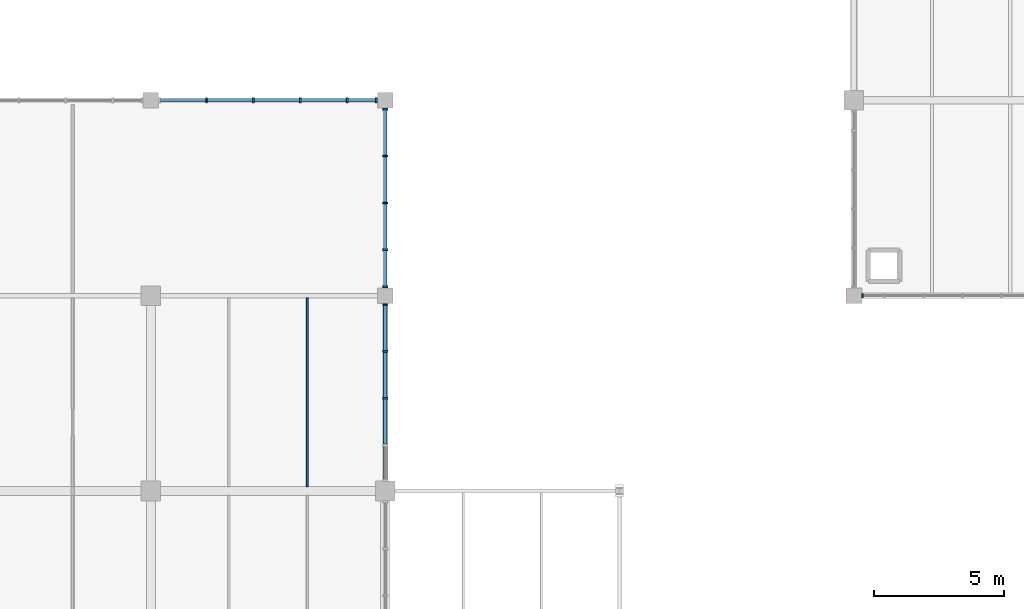
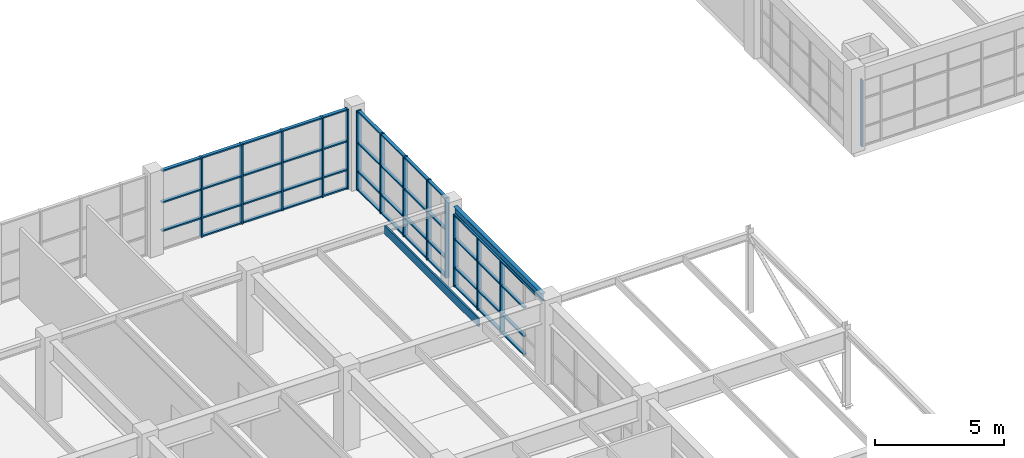
# One storey, part 17 of 76: 61 members, 2 beams, 4 elements without a shape of their own.
"""IFC4 building model written with IfcOpenShell, lengths in metres."""

from ifc_helpers import new_model, si_unit, direction, frame, origin, origin_2d, place, context, subcontext, project, spatial, rectangle, i_section, extrude, material, layer, layer_set, material_profile, profile_set, type_object, element, aggregate, save


model = new_model("IFC4")

# Units and contexts
model_context = context("Model", 3, precision=1e-05, world=origin(), true_north=direction((0.0, 1.0)))
body_context = subcontext(model_context, "Body", "Model", "MODEL_VIEW")
ifc_project = project(units=[si_unit("LENGTHUNIT", "METRE"), si_unit("AREAUNIT", "SQUARE_METRE"), si_unit("VOLUMEUNIT", "CUBIC_METRE"), si_unit("PLANEANGLEUNIT", "RADIAN"), si_unit("MASSUNIT", "GRAM", prefix="KILO")], contexts=[model_context])

# Site, building, storey
site_placement = place(None, origin())
site = spatial("IfcSite", under=ifc_project, at=site_placement, CompositionType="ELEMENT")
building_placement = place(site_placement, origin())
building = spatial("IfcBuilding", under=site, at=building_placement, Name="Marnridge Secondary College", CompositionType="ELEMENT")
storey_placement = place(building_placement, frame((0.0, 0.0, 4.5)))
storey = spatial("IfcBuildingStorey", under=building, at=storey_placement, Name="L01", CompositionType="ELEMENT", Elevation=4.5)

# Beams
ifc_material_1 = material(Name="Engineered timber LVL E13.2", Category="wood")
ifc_material_profile_1 = material_profile(ifc_material_1, rectangle(XDim=0.074951171875, YDim=0.39990234375, at=origin_2d()), Name="LVL 75x400")
ifc_profile_set_1 = profile_set([ifc_material_profile_1], Name="Engineered timber LVL E13.2")
beam_type_1 = type_object("IfcBeamType", Name="BM-LVL400-INT", PredefinedType="JOIST", material=ifc_profile_set_1)
beam_1_placement = place(storey_placement, frame((33.0, 30.1689453125, 3.570068359375), z_axis=(0.0, 1.0, 0.0), x_axis=(-1.0, 0.0, 0.0)))
element("IfcBeam", 1, at=beam_1_placement, inside=storey, type_object=beam_type_1, Name="Beam BJ-L01-0755", PredefinedType="JOIST", context=body_context, shape_type="SweptSolid", body=[
    extrude(rectangle(XDim=0.074951171875, YDim=0.39990234375, at=origin_2d()), origin(), (0.0, 0.0, 1.0), 7.25146484375),
])
ifc_material_2 = material(Name="Structural steel Grade 350 (AS/NZS 3679.1/.2, fy = 340-360 MPa)", Category="steel")
ifc_material_profile_2 = material_profile(ifc_material_2, i_section(OverallWidth=0.1708984375, OverallDepth=0.35205078125, WebThickness=0.0068359375, FlangeThickness=0.009765625, FilletRadius=0.011474609375, at=origin_2d()), Name="360UB44.7")
ifc_profile_set_2 = profile_set([ifc_material_profile_2], Name="Structural steel Grade 350 (AS/NZS 3679.1/.2, fy = 340-360 MPa)")
beam_type_2 = type_object("IfcBeamType", Name="BM-UB360-EXT", PredefinedType="SPANDREL", material=ifc_profile_set_2)
beam_2_placement = place(storey_placement, frame((36.0, 30.368896484375, 3.593994140625), z_axis=(0.0, 1.0, 0.0), x_axis=(-1.0, 0.0, 0.0)))
element("IfcBeam", 2, at=beam_2_placement, inside=storey, type_object=beam_type_2, Name="Beam BS-L01-0712", PredefinedType="SPANDREL", context=body_context, shape_type="SweptSolid", body=[
    extrude(i_section(OverallWidth=0.1708984375, OverallDepth=0.35205078125, WebThickness=0.0068359375, FlangeThickness=0.009765625, FilletRadius=0.011474609375, at=origin_2d()), origin(), (0.0, 0.0, 1.0), 6.837158203125),
])

# Curtain wall, member
ifc_material_3 = material(Name="Thermally broken aluminium and low-E glazing", Category="aluminium")
ifc_layer_1 = layer(ifc_material_3, 0.159912109375)
ifc_layer_set_1 = layer_set([ifc_layer_1], Name="CW-MOD-1500")
curtain_wall_type_1 = type_object("IfcCurtainWallType", Name="CW-MOD-1500", PredefinedType="NOTDEFINED", material=ifc_layer_set_1)
curtain_wall_1_placement = place(storey_placement, origin())
curtain_wall_1 = element("IfcCurtainWall", 3, at=curtain_wall_1_placement, inside=storey, type_object=curtain_wall_type_1, Name="Unitised curtain wall CW-L01-038", PredefinedType="NOTDEFINED")
ifc_material_4 = material(Name="Anodised aluminium 6063-T6", Category="aluminium")
ifc_material_profile_3 = material_profile(ifc_material_4, rectangle(XDim=0.06005859375, YDim=0.159912109375, at=origin_2d()), Name="ALU 60x160")
ifc_profile_set_3 = profile_set([ifc_material_profile_3], Name="Anodised aluminium 6063-T6")
member_type_1 = type_object("IfcMemberType", Name="CWM-ALU160", PredefinedType="MULLION", material=ifc_profile_set_3)
member_1_placement = place(storey_placement, frame((54.333984375, 37.5, 0.0), z_axis=(0.0, 0.0, 1.0), x_axis=(-1.0, 0.0, 0.0)))
member_1 = element("IfcMember", 4, at=member_1_placement, type_object=member_type_1, Name="CW-L01-038 mullion 7", PredefinedType="MULLION", context=body_context, shape_type="SweptSolid", body=[
    extrude(rectangle(XDim=0.06005859375, YDim=0.159912109375, at=origin_2d()), origin(), (0.0, 0.0, 1.0), 3.14697265625),
])
aggregate(curtain_wall_1, [member_1])

# Curtain wall, members
ifc_material_5 = material(Name="Bronze-anodised aluminium and solar-control glazing", Category="aluminium")
ifc_layer_2 = layer(ifc_material_5, 0.199951171875)
ifc_layer_set_2 = layer_set([ifc_layer_2], Name="CW-MOD-1800")
curtain_wall_type_2 = type_object("IfcCurtainWallType", Name="CW-MOD-1800", PredefinedType="NOTDEFINED", material=ifc_layer_set_2)
curtain_wall_2_placement = place(storey_placement, origin())
curtain_wall_2 = element("IfcCurtainWall", 5, at=curtain_wall_2_placement, inside=storey, type_object=curtain_wall_type_2, Name="Unitised curtain wall CW-L01-062", PredefinedType="NOTDEFINED")
ifc_material_6 = material(Name="Bronze-anodised aluminium 6063-T6", Category="aluminium")
ifc_material_profile_4 = material_profile(ifc_material_6, rectangle(XDim=0.070068359375, YDim=0.199951171875, at=origin_2d()), Name="ALU 70x200")
ifc_profile_set_4 = profile_set([ifc_material_profile_4], Name="Bronze-anodised aluminium 6063-T6")
member_type_2 = type_object("IfcMemberType", Name="CWM-ALU200", PredefinedType="MULLION", material=ifc_profile_set_4)
member_2_placement = place(storey_placement, frame((29.138916015625, 45.0, 0.0), z_axis=(0.0, 0.0, 1.0), x_axis=(1.0, 0.0, 0.0)))
member_2 = element("IfcMember", 6, at=member_2_placement, type_object=member_type_2, Name="CW-L01-062 mullion 2", PredefinedType="MULLION", context=body_context, shape_type="SweptSolid", body=[
    extrude(rectangle(XDim=0.070068359375, YDim=0.199951171875, at=origin_2d()), origin(), (0.0, 0.0, 1.0), 3.77001953125),
])
member_3_placement = place(storey_placement, frame((30.93896484375, 45.0, 0.0), z_axis=(0.0, 0.0, 1.0), x_axis=(1.0, 0.0, 0.0)))
member_3 = element("IfcMember", 7, at=member_3_placement, type_object=member_type_2, Name="CW-L01-062 mullion 3", PredefinedType="MULLION", context=body_context, shape_type="SweptSolid", body=[
    extrude(rectangle(XDim=0.070068359375, YDim=0.199951171875, at=origin_2d()), origin(), (0.0, 0.0, 1.0), 3.77001953125),
])
member_4_placement = place(storey_placement, frame((32.739013671875, 45.0, 0.0), z_axis=(0.0, 0.0, 1.0), x_axis=(1.0, 0.0, 0.0)))
member_4 = element("IfcMember", 8, at=member_4_placement, type_object=member_type_2, Name="CW-L01-062 mullion 4", PredefinedType="MULLION", context=body_context, shape_type="SweptSolid", body=[
    extrude(rectangle(XDim=0.070068359375, YDim=0.199951171875, at=origin_2d()), origin(), (0.0, 0.0, 1.0), 3.77001953125),
])
member_5_placement = place(storey_placement, frame((34.5390625, 45.0, 0.0), z_axis=(0.0, 0.0, 1.0), x_axis=(1.0, 0.0, 0.0)))
member_5 = element("IfcMember", 9, at=member_5_placement, type_object=member_type_2, Name="CW-L01-062 mullion 5", PredefinedType="MULLION", context=body_context, shape_type="SweptSolid", body=[
    extrude(rectangle(XDim=0.070068359375, YDim=0.199951171875, at=origin_2d()), origin(), (0.0, 0.0, 1.0), 3.77001953125),
])
member_6_placement = place(storey_placement, frame((35.660888671875, 45.0, 0.0), z_axis=(0.0, 0.0, 1.0), x_axis=(1.0, 0.0, 0.0)))
member_6 = element("IfcMember", 10, at=member_6_placement, type_object=member_type_2, Name="CW-L01-062 mullion 6", PredefinedType="MULLION", context=body_context, shape_type="SweptSolid", body=[
    extrude(rectangle(XDim=0.070068359375, YDim=0.199951171875, at=origin_2d()), origin(), (0.0, 0.0, 1.0), 3.77001953125),
])

curtain_wall_3_placement = place(storey_placement, origin())
curtain_wall_3 = element("IfcCurtainWall", 11, at=curtain_wall_3_placement, inside=storey, type_object=curtain_wall_type_2, Name="Unitised curtain wall CW-L01-063", PredefinedType="NOTDEFINED")
member_7_placement = place(storey_placement, frame((36.0, 44.660888671875, 0.0), z_axis=(0.0, 0.0, 1.0), x_axis=(0.0, -1.0, 0.0)))
member_7 = element("IfcMember", 12, at=member_7_placement, type_object=member_type_2, Name="CW-L01-063 mullion 1", PredefinedType="MULLION", context=body_context, shape_type="SweptSolid", body=[
    extrude(rectangle(XDim=0.070068359375, YDim=0.199951171875, at=origin_2d()), origin(), (0.0, 0.0, 1.0), 3.77001953125),
])
member_8_placement = place(storey_placement, frame((36.0, 42.861083984375, 0.0), z_axis=(0.0, 0.0, 1.0), x_axis=(0.0, -1.0, 0.0)))
member_8 = element("IfcMember", 13, at=member_8_placement, type_object=member_type_2, Name="CW-L01-063 mullion 2", PredefinedType="MULLION", context=body_context, shape_type="SweptSolid", body=[
    extrude(rectangle(XDim=0.070068359375, YDim=0.199951171875, at=origin_2d()), origin(), (0.0, 0.0, 1.0), 3.77001953125),
])
member_9_placement = place(storey_placement, frame((36.0, 41.06103515625, 0.0), z_axis=(0.0, 0.0, 1.0), x_axis=(0.0, -1.0, 0.0)))
member_9 = element("IfcMember", 14, at=member_9_placement, type_object=member_type_2, Name="CW-L01-063 mullion 3", PredefinedType="MULLION", context=body_context, shape_type="SweptSolid", body=[
    extrude(rectangle(XDim=0.070068359375, YDim=0.199951171875, at=origin_2d()), origin(), (0.0, 0.0, 1.0), 3.77001953125),
])
member_10_placement = place(storey_placement, frame((36.0, 39.260986328125, 0.0), z_axis=(0.0, 0.0, 1.0), x_axis=(0.0, -1.0, 0.0)))
member_10 = element("IfcMember", 15, at=member_10_placement, type_object=member_type_2, Name="CW-L01-063 mullion 4", PredefinedType="MULLION", context=body_context, shape_type="SweptSolid", body=[
    extrude(rectangle(XDim=0.070068359375, YDim=0.199951171875, at=origin_2d()), origin(), (0.0, 0.0, 1.0), 3.77001953125),
])
member_11_placement = place(storey_placement, frame((36.0, 37.839111328125, 0.0), z_axis=(0.0, 0.0, 1.0), x_axis=(0.0, -1.0, 0.0)))
member_11 = element("IfcMember", 16, at=member_11_placement, type_object=member_type_2, Name="CW-L01-063 mullion 5", PredefinedType="MULLION", context=body_context, shape_type="SweptSolid", body=[
    extrude(rectangle(XDim=0.070068359375, YDim=0.199951171875, at=origin_2d()), origin(), (0.0, 0.0, 1.0), 3.77001953125),
])

curtain_wall_4_placement = place(storey_placement, origin())
curtain_wall_4 = element("IfcCurtainWall", 17, at=curtain_wall_4_placement, inside=storey, type_object=curtain_wall_type_2, Name="Unitised curtain wall CW-L01-064", PredefinedType="NOTDEFINED")
member_12_placement = place(storey_placement, frame((36.0, 37.160888671875, 0.0), z_axis=(0.0, 0.0, 1.0), x_axis=(0.0, -1.0, 0.0)))
member_12 = element("IfcMember", 18, at=member_12_placement, type_object=member_type_2, Name="CW-L01-064 mullion 1", PredefinedType="MULLION", context=body_context, shape_type="SweptSolid", body=[
    extrude(rectangle(XDim=0.070068359375, YDim=0.199951171875, at=origin_2d()), origin(), (0.0, 0.0, 1.0), 3.409912109375),
])
member_13_placement = place(storey_placement, frame((36.0, 35.361083984375, 0.0), z_axis=(0.0, 0.0, 1.0), x_axis=(0.0, -1.0, 0.0)))
member_13 = element("IfcMember", 19, at=member_13_placement, type_object=member_type_2, Name="CW-L01-064 mullion 2", PredefinedType="MULLION", context=body_context, shape_type="SweptSolid", body=[
    extrude(rectangle(XDim=0.070068359375, YDim=0.199951171875, at=origin_2d()), origin(), (0.0, 0.0, 1.0), 3.409912109375),
])
member_14_placement = place(storey_placement, frame((36.0, 33.56103515625, 0.0), z_axis=(0.0, 0.0, 1.0), x_axis=(0.0, -1.0, 0.0)))
member_14 = element("IfcMember", 20, at=member_14_placement, type_object=member_type_2, Name="CW-L01-064 mullion 3", PredefinedType="MULLION", context=body_context, shape_type="SweptSolid", body=[
    extrude(rectangle(XDim=0.070068359375, YDim=0.199951171875, at=origin_2d()), origin(), (0.0, 0.0, 1.0), 3.409912109375),
])

# Member
ifc_material_7 = material(Name="Anodised aluminium 6063-T6", Category="aluminium")
ifc_material_profile_5 = material_profile(ifc_material_7, rectangle(XDim=0.06494140625, YDim=0.139892578125, at=origin_2d()), Name="ALU 65x140")
ifc_profile_set_5 = profile_set([ifc_material_profile_5], Name="Anodised aluminium 6063-T6")
member_type_3 = type_object("IfcMemberType", Name="CWT-ALU140", PredefinedType="USERDEFINED", material=ifc_profile_set_5)
member_15_placement = place(storey_placement, frame((27.3740234375, 45.0, 0.89990234375), z_axis=(1.0, 0.0, 0.0), x_axis=(0.0, 0.0, 1.0)))
member_15 = element("IfcMember", 21, at=member_15_placement, type_object=member_type_3, Name="CW-L01-062 transom 1.2", ObjectType="TRANSOM", PredefinedType="USERDEFINED", context=body_context, shape_type="SweptSolid", body=[
    extrude(rectangle(XDim=0.06494140625, YDim=0.139892578125, at=origin_2d()), origin(), (0.0, 0.0, 1.0), 1.72998046875),
])

member_16_placement = place(storey_placement, frame((27.3740234375, 45.0, 2.25), z_axis=(1.0, 0.0, 0.0), x_axis=(0.0, 0.0, 1.0)))
member_16 = element("IfcMember", 22, at=member_16_placement, type_object=member_type_3, Name="CW-L01-062 transom 1.3", ObjectType="TRANSOM", PredefinedType="USERDEFINED", context=body_context, shape_type="SweptSolid", body=[
    extrude(rectangle(XDim=0.06494140625, YDim=0.139892578125, at=origin_2d()), origin(), (0.0, 0.0, 1.0), 1.72998046875),
])

member_17_placement = place(storey_placement, frame((27.3740234375, 45.0, 3.737548828125), z_axis=(1.0, 0.0, 0.0), x_axis=(0.0, 0.0, 1.0)))
member_17 = element("IfcMember", 23, at=member_17_placement, type_object=member_type_3, Name="CW-L01-062 transom 1.4", ObjectType="TRANSOM", PredefinedType="USERDEFINED", context=body_context, shape_type="SweptSolid", body=[
    extrude(rectangle(XDim=0.06494140625, YDim=0.139892578125, at=origin_2d()), origin(), (0.0, 0.0, 1.0), 1.72998046875),
])

member_18_placement = place(storey_placement, frame((29.174072265625, 45.0, 0.032470703125), z_axis=(1.0, 0.0, 0.0), x_axis=(0.0, 0.0, 1.0)))
member_18 = element("IfcMember", 24, at=member_18_placement, type_object=member_type_3, Name="CW-L01-062 transom 2.1", ObjectType="TRANSOM", PredefinedType="USERDEFINED", context=body_context, shape_type="SweptSolid", body=[
    extrude(rectangle(XDim=0.06494140625, YDim=0.139892578125, at=origin_2d()), origin(), (0.0, 0.0, 1.0), 1.72998046875),
])

member_19_placement = place(storey_placement, frame((29.174072265625, 45.0, 0.89990234375), z_axis=(1.0, 0.0, 0.0), x_axis=(0.0, 0.0, 1.0)))
member_19 = element("IfcMember", 25, at=member_19_placement, type_object=member_type_3, Name="CW-L01-062 transom 2.2", ObjectType="TRANSOM", PredefinedType="USERDEFINED", context=body_context, shape_type="SweptSolid", body=[
    extrude(rectangle(XDim=0.06494140625, YDim=0.139892578125, at=origin_2d()), origin(), (0.0, 0.0, 1.0), 1.72998046875),
])

member_20_placement = place(storey_placement, frame((29.174072265625, 45.0, 2.25), z_axis=(1.0, 0.0, 0.0), x_axis=(0.0, 0.0, 1.0)))
member_20 = element("IfcMember", 26, at=member_20_placement, type_object=member_type_3, Name="CW-L01-062 transom 2.3", ObjectType="TRANSOM", PredefinedType="USERDEFINED", context=body_context, shape_type="SweptSolid", body=[
    extrude(rectangle(XDim=0.06494140625, YDim=0.139892578125, at=origin_2d()), origin(), (0.0, 0.0, 1.0), 1.72998046875),
])

member_21_placement = place(storey_placement, frame((29.174072265625, 45.0, 3.737548828125), z_axis=(1.0, 0.0, 0.0), x_axis=(0.0, 0.0, 1.0)))
member_21 = element("IfcMember", 27, at=member_21_placement, type_object=member_type_3, Name="CW-L01-062 transom 2.4", ObjectType="TRANSOM", PredefinedType="USERDEFINED", context=body_context, shape_type="SweptSolid", body=[
    extrude(rectangle(XDim=0.06494140625, YDim=0.139892578125, at=origin_2d()), origin(), (0.0, 0.0, 1.0), 1.72998046875),
])

member_22_placement = place(storey_placement, frame((30.97412109375, 45.0, 0.032470703125), z_axis=(1.0, 0.0, 0.0), x_axis=(0.0, 0.0, 1.0)))
member_22 = element("IfcMember", 28, at=member_22_placement, type_object=member_type_3, Name="CW-L01-062 transom 3.1", ObjectType="TRANSOM", PredefinedType="USERDEFINED", context=body_context, shape_type="SweptSolid", body=[
    extrude(rectangle(XDim=0.06494140625, YDim=0.139892578125, at=origin_2d()), origin(), (0.0, 0.0, 1.0), 1.72998046875),
])

member_23_placement = place(storey_placement, frame((30.97412109375, 45.0, 0.89990234375), z_axis=(1.0, 0.0, 0.0), x_axis=(0.0, 0.0, 1.0)))
member_23 = element("IfcMember", 29, at=member_23_placement, type_object=member_type_3, Name="CW-L01-062 transom 3.2", ObjectType="TRANSOM", PredefinedType="USERDEFINED", context=body_context, shape_type="SweptSolid", body=[
    extrude(rectangle(XDim=0.06494140625, YDim=0.139892578125, at=origin_2d()), origin(), (0.0, 0.0, 1.0), 1.72998046875),
])

member_24_placement = place(storey_placement, frame((30.97412109375, 45.0, 2.25), z_axis=(1.0, 0.0, 0.0), x_axis=(0.0, 0.0, 1.0)))
member_24 = element("IfcMember", 30, at=member_24_placement, type_object=member_type_3, Name="CW-L01-062 transom 3.3", ObjectType="TRANSOM", PredefinedType="USERDEFINED", context=body_context, shape_type="SweptSolid", body=[
    extrude(rectangle(XDim=0.06494140625, YDim=0.139892578125, at=origin_2d()), origin(), (0.0, 0.0, 1.0), 1.72998046875),
])

member_25_placement = place(storey_placement, frame((30.97412109375, 45.0, 3.737548828125), z_axis=(1.0, 0.0, 0.0), x_axis=(0.0, 0.0, 1.0)))
member_25 = element("IfcMember", 31, at=member_25_placement, type_object=member_type_3, Name="CW-L01-062 transom 3.4", ObjectType="TRANSOM", PredefinedType="USERDEFINED", context=body_context, shape_type="SweptSolid", body=[
    extrude(rectangle(XDim=0.06494140625, YDim=0.139892578125, at=origin_2d()), origin(), (0.0, 0.0, 1.0), 1.72998046875),
])

member_26_placement = place(storey_placement, frame((32.77392578125, 45.0, 0.032470703125), z_axis=(1.0, 0.0, 0.0), x_axis=(0.0, 0.0, 1.0)))
member_26 = element("IfcMember", 32, at=member_26_placement, type_object=member_type_3, Name="CW-L01-062 transom 4.1", ObjectType="TRANSOM", PredefinedType="USERDEFINED", context=body_context, shape_type="SweptSolid", body=[
    extrude(rectangle(XDim=0.06494140625, YDim=0.139892578125, at=origin_2d()), origin(), (0.0, 0.0, 1.0), 1.72998046875),
])

member_27_placement = place(storey_placement, frame((32.77392578125, 45.0, 0.89990234375), z_axis=(1.0, 0.0, 0.0), x_axis=(0.0, 0.0, 1.0)))
member_27 = element("IfcMember", 33, at=member_27_placement, type_object=member_type_3, Name="CW-L01-062 transom 4.2", ObjectType="TRANSOM", PredefinedType="USERDEFINED", context=body_context, shape_type="SweptSolid", body=[
    extrude(rectangle(XDim=0.06494140625, YDim=0.139892578125, at=origin_2d()), origin(), (0.0, 0.0, 1.0), 1.72998046875),
])

member_28_placement = place(storey_placement, frame((32.77392578125, 45.0, 2.25), z_axis=(1.0, 0.0, 0.0), x_axis=(0.0, 0.0, 1.0)))
member_28 = element("IfcMember", 34, at=member_28_placement, type_object=member_type_3, Name="CW-L01-062 transom 4.3", ObjectType="TRANSOM", PredefinedType="USERDEFINED", context=body_context, shape_type="SweptSolid", body=[
    extrude(rectangle(XDim=0.06494140625, YDim=0.139892578125, at=origin_2d()), origin(), (0.0, 0.0, 1.0), 1.72998046875),
])

member_29_placement = place(storey_placement, frame((32.77392578125, 45.0, 3.737548828125), z_axis=(1.0, 0.0, 0.0), x_axis=(0.0, 0.0, 1.0)))
member_29 = element("IfcMember", 35, at=member_29_placement, type_object=member_type_3, Name="CW-L01-062 transom 4.4", ObjectType="TRANSOM", PredefinedType="USERDEFINED", context=body_context, shape_type="SweptSolid", body=[
    extrude(rectangle(XDim=0.06494140625, YDim=0.139892578125, at=origin_2d()), origin(), (0.0, 0.0, 1.0), 1.72998046875),
])

member_30_placement = place(storey_placement, frame((34.573974609375, 45.0, 0.032470703125), z_axis=(1.0, 0.0, 0.0), x_axis=(0.0, 0.0, 1.0)))
member_30 = element("IfcMember", 36, at=member_30_placement, type_object=member_type_3, Name="CW-L01-062 transom 5.1", ObjectType="TRANSOM", PredefinedType="USERDEFINED", context=body_context, shape_type="SweptSolid", body=[
    extrude(rectangle(XDim=0.06494140625, YDim=0.139892578125, at=origin_2d()), origin(), (0.0, 0.0, 1.0), 1.052001953125),
])

member_31_placement = place(storey_placement, frame((34.573974609375, 45.0, 0.89990234375), z_axis=(1.0, 0.0, 0.0), x_axis=(0.0, 0.0, 1.0)))
member_31 = element("IfcMember", 37, at=member_31_placement, type_object=member_type_3, Name="CW-L01-062 transom 5.2", ObjectType="TRANSOM", PredefinedType="USERDEFINED", context=body_context, shape_type="SweptSolid", body=[
    extrude(rectangle(XDim=0.06494140625, YDim=0.139892578125, at=origin_2d()), origin(), (0.0, 0.0, 1.0), 1.052001953125),
])

member_32_placement = place(storey_placement, frame((34.573974609375, 45.0, 2.25), z_axis=(1.0, 0.0, 0.0), x_axis=(0.0, 0.0, 1.0)))
member_32 = element("IfcMember", 38, at=member_32_placement, type_object=member_type_3, Name="CW-L01-062 transom 5.3", ObjectType="TRANSOM", PredefinedType="USERDEFINED", context=body_context, shape_type="SweptSolid", body=[
    extrude(rectangle(XDim=0.06494140625, YDim=0.139892578125, at=origin_2d()), origin(), (0.0, 0.0, 1.0), 1.052001953125),
])

member_33_placement = place(storey_placement, frame((34.573974609375, 45.0, 3.737548828125), z_axis=(1.0, 0.0, 0.0), x_axis=(0.0, 0.0, 1.0)))
member_33 = element("IfcMember", 39, at=member_33_placement, type_object=member_type_3, Name="CW-L01-062 transom 5.4", ObjectType="TRANSOM", PredefinedType="USERDEFINED", context=body_context, shape_type="SweptSolid", body=[
    extrude(rectangle(XDim=0.06494140625, YDim=0.139892578125, at=origin_2d()), origin(), (0.0, 0.0, 1.0), 1.052001953125),
])

aggregate(curtain_wall_2, [member_2, member_3, member_4, member_5, member_6, member_15, member_16, member_17, member_18, member_19, member_20, member_21, member_22, member_23, member_24, member_25, member_26, member_27, member_28, member_29, member_30, member_31, member_32, member_33])

member_34_placement = place(storey_placement, frame((36.0, 44.6259765625, 0.032470703125), z_axis=(0.0, -1.0, 0.0), x_axis=(0.0, 0.0, 1.0)))
member_34 = element("IfcMember", 40, at=member_34_placement, type_object=member_type_3, Name="CW-L01-063 transom 1.1", ObjectType="TRANSOM", PredefinedType="USERDEFINED", context=body_context, shape_type="SweptSolid", body=[
    extrude(rectangle(XDim=0.06494140625, YDim=0.139892578125, at=origin_2d()), origin(), (0.0, 0.0, 1.0), 1.72998046875),
])

member_35_placement = place(storey_placement, frame((36.0, 44.6259765625, 0.89990234375), z_axis=(0.0, -1.0, 0.0), x_axis=(0.0, 0.0, 1.0)))
member_35 = element("IfcMember", 41, at=member_35_placement, type_object=member_type_3, Name="CW-L01-063 transom 1.2", ObjectType="TRANSOM", PredefinedType="USERDEFINED", context=body_context, shape_type="SweptSolid", body=[
    extrude(rectangle(XDim=0.06494140625, YDim=0.139892578125, at=origin_2d()), origin(), (0.0, 0.0, 1.0), 1.72998046875),
])

member_36_placement = place(storey_placement, frame((36.0, 44.6259765625, 2.25), z_axis=(0.0, -1.0, 0.0), x_axis=(0.0, 0.0, 1.0)))
member_36 = element("IfcMember", 42, at=member_36_placement, type_object=member_type_3, Name="CW-L01-063 transom 1.3", ObjectType="TRANSOM", PredefinedType="USERDEFINED", context=body_context, shape_type="SweptSolid", body=[
    extrude(rectangle(XDim=0.06494140625, YDim=0.139892578125, at=origin_2d()), origin(), (0.0, 0.0, 1.0), 1.72998046875),
])

member_37_placement = place(storey_placement, frame((36.0, 44.6259765625, 3.737548828125), z_axis=(0.0, -1.0, 0.0), x_axis=(0.0, 0.0, 1.0)))
member_37 = element("IfcMember", 43, at=member_37_placement, type_object=member_type_3, Name="CW-L01-063 transom 1.4", ObjectType="TRANSOM", PredefinedType="USERDEFINED", context=body_context, shape_type="SweptSolid", body=[
    extrude(rectangle(XDim=0.06494140625, YDim=0.139892578125, at=origin_2d()), origin(), (0.0, 0.0, 1.0), 1.72998046875),
])

member_38_placement = place(storey_placement, frame((36.0, 42.825927734375, 0.032470703125), z_axis=(0.0, -1.0, 0.0), x_axis=(0.0, 0.0, 1.0)))
member_38 = element("IfcMember", 44, at=member_38_placement, type_object=member_type_3, Name="CW-L01-063 transom 2.1", ObjectType="TRANSOM", PredefinedType="USERDEFINED", context=body_context, shape_type="SweptSolid", body=[
    extrude(rectangle(XDim=0.06494140625, YDim=0.139892578125, at=origin_2d()), origin(), (0.0, 0.0, 1.0), 1.72998046875),
])

member_39_placement = place(storey_placement, frame((36.0, 42.825927734375, 0.89990234375), z_axis=(0.0, -1.0, 0.0), x_axis=(0.0, 0.0, 1.0)))
member_39 = element("IfcMember", 45, at=member_39_placement, type_object=member_type_3, Name="CW-L01-063 transom 2.2", ObjectType="TRANSOM", PredefinedType="USERDEFINED", context=body_context, shape_type="SweptSolid", body=[
    extrude(rectangle(XDim=0.06494140625, YDim=0.139892578125, at=origin_2d()), origin(), (0.0, 0.0, 1.0), 1.72998046875),
])

member_40_placement = place(storey_placement, frame((36.0, 42.825927734375, 2.25), z_axis=(0.0, -1.0, 0.0), x_axis=(0.0, 0.0, 1.0)))
member_40 = element("IfcMember", 46, at=member_40_placement, type_object=member_type_3, Name="CW-L01-063 transom 2.3", ObjectType="TRANSOM", PredefinedType="USERDEFINED", context=body_context, shape_type="SweptSolid", body=[
    extrude(rectangle(XDim=0.06494140625, YDim=0.139892578125, at=origin_2d()), origin(), (0.0, 0.0, 1.0), 1.72998046875),
])

member_41_placement = place(storey_placement, frame((36.0, 42.825927734375, 3.737548828125), z_axis=(0.0, -1.0, 0.0), x_axis=(0.0, 0.0, 1.0)))
member_41 = element("IfcMember", 47, at=member_41_placement, type_object=member_type_3, Name="CW-L01-063 transom 2.4", ObjectType="TRANSOM", PredefinedType="USERDEFINED", context=body_context, shape_type="SweptSolid", body=[
    extrude(rectangle(XDim=0.06494140625, YDim=0.139892578125, at=origin_2d()), origin(), (0.0, 0.0, 1.0), 1.72998046875),
])

member_42_placement = place(storey_placement, frame((36.0, 41.02587890625, 0.032470703125), z_axis=(0.0, -1.0, 0.0), x_axis=(0.0, 0.0, 1.0)))
member_42 = element("IfcMember", 48, at=member_42_placement, type_object=member_type_3, Name="CW-L01-063 transom 3.1", ObjectType="TRANSOM", PredefinedType="USERDEFINED", context=body_context, shape_type="SweptSolid", body=[
    extrude(rectangle(XDim=0.06494140625, YDim=0.139892578125, at=origin_2d()), origin(), (0.0, 0.0, 1.0), 1.72998046875),
])

member_43_placement = place(storey_placement, frame((36.0, 41.02587890625, 0.89990234375), z_axis=(0.0, -1.0, 0.0), x_axis=(0.0, 0.0, 1.0)))
member_43 = element("IfcMember", 49, at=member_43_placement, type_object=member_type_3, Name="CW-L01-063 transom 3.2", ObjectType="TRANSOM", PredefinedType="USERDEFINED", context=body_context, shape_type="SweptSolid", body=[
    extrude(rectangle(XDim=0.06494140625, YDim=0.139892578125, at=origin_2d()), origin(), (0.0, 0.0, 1.0), 1.72998046875),
])

member_44_placement = place(storey_placement, frame((36.0, 41.02587890625, 2.25), z_axis=(0.0, -1.0, 0.0), x_axis=(0.0, 0.0, 1.0)))
member_44 = element("IfcMember", 50, at=member_44_placement, type_object=member_type_3, Name="CW-L01-063 transom 3.3", ObjectType="TRANSOM", PredefinedType="USERDEFINED", context=body_context, shape_type="SweptSolid", body=[
    extrude(rectangle(XDim=0.06494140625, YDim=0.139892578125, at=origin_2d()), origin(), (0.0, 0.0, 1.0), 1.72998046875),
])

member_45_placement = place(storey_placement, frame((36.0, 41.02587890625, 3.737548828125), z_axis=(0.0, -1.0, 0.0), x_axis=(0.0, 0.0, 1.0)))
member_45 = element("IfcMember", 51, at=member_45_placement, type_object=member_type_3, Name="CW-L01-063 transom 3.4", ObjectType="TRANSOM", PredefinedType="USERDEFINED", context=body_context, shape_type="SweptSolid", body=[
    extrude(rectangle(XDim=0.06494140625, YDim=0.139892578125, at=origin_2d()), origin(), (0.0, 0.0, 1.0), 1.72998046875),
])

member_46_placement = place(storey_placement, frame((36.0, 39.22607421875, 0.032470703125), z_axis=(0.0, -1.0, 0.0), x_axis=(0.0, 0.0, 1.0)))
member_46 = element("IfcMember", 52, at=member_46_placement, type_object=member_type_3, Name="CW-L01-063 transom 4.1", ObjectType="TRANSOM", PredefinedType="USERDEFINED", context=body_context, shape_type="SweptSolid", body=[
    extrude(rectangle(XDim=0.06494140625, YDim=0.139892578125, at=origin_2d()), origin(), (0.0, 0.0, 1.0), 1.35205078125),
])

member_47_placement = place(storey_placement, frame((36.0, 39.22607421875, 0.89990234375), z_axis=(0.0, -1.0, 0.0), x_axis=(0.0, 0.0, 1.0)))
member_47 = element("IfcMember", 53, at=member_47_placement, type_object=member_type_3, Name="CW-L01-063 transom 4.2", ObjectType="TRANSOM", PredefinedType="USERDEFINED", context=body_context, shape_type="SweptSolid", body=[
    extrude(rectangle(XDim=0.06494140625, YDim=0.139892578125, at=origin_2d()), origin(), (0.0, 0.0, 1.0), 1.35205078125),
])

member_48_placement = place(storey_placement, frame((36.0, 39.22607421875, 2.25), z_axis=(0.0, -1.0, 0.0), x_axis=(0.0, 0.0, 1.0)))
member_48 = element("IfcMember", 54, at=member_48_placement, type_object=member_type_3, Name="CW-L01-063 transom 4.3", ObjectType="TRANSOM", PredefinedType="USERDEFINED", context=body_context, shape_type="SweptSolid", body=[
    extrude(rectangle(XDim=0.06494140625, YDim=0.139892578125, at=origin_2d()), origin(), (0.0, 0.0, 1.0), 1.35205078125),
])

member_49_placement = place(storey_placement, frame((36.0, 39.22607421875, 3.737548828125), z_axis=(0.0, -1.0, 0.0), x_axis=(0.0, 0.0, 1.0)))
member_49 = element("IfcMember", 55, at=member_49_placement, type_object=member_type_3, Name="CW-L01-063 transom 4.4", ObjectType="TRANSOM", PredefinedType="USERDEFINED", context=body_context, shape_type="SweptSolid", body=[
    extrude(rectangle(XDim=0.06494140625, YDim=0.139892578125, at=origin_2d()), origin(), (0.0, 0.0, 1.0), 1.35205078125),
])

aggregate(curtain_wall_3, [member_7, member_8, member_9, member_10, member_11, member_34, member_35, member_36, member_37, member_38, member_39, member_40, member_41, member_42, member_43, member_44, member_45, member_46, member_47, member_48, member_49])

member_50_placement = place(storey_placement, frame((36.0, 37.1259765625, 0.032470703125), z_axis=(0.0, -1.0, 0.0), x_axis=(0.0, 0.0, 1.0)))
member_50 = element("IfcMember", 56, at=member_50_placement, type_object=member_type_3, Name="CW-L01-064 transom 1.1", ObjectType="TRANSOM", PredefinedType="USERDEFINED", context=body_context, shape_type="SweptSolid", body=[
    extrude(rectangle(XDim=0.06494140625, YDim=0.139892578125, at=origin_2d()), origin(), (0.0, 0.0, 1.0), 1.72998046875),
])

member_51_placement = place(storey_placement, frame((36.0, 37.1259765625, 0.89990234375), z_axis=(0.0, -1.0, 0.0), x_axis=(0.0, 0.0, 1.0)))
member_51 = element("IfcMember", 57, at=member_51_placement, type_object=member_type_3, Name="CW-L01-064 transom 1.2", ObjectType="TRANSOM", PredefinedType="USERDEFINED", context=body_context, shape_type="SweptSolid", body=[
    extrude(rectangle(XDim=0.06494140625, YDim=0.139892578125, at=origin_2d()), origin(), (0.0, 0.0, 1.0), 1.72998046875),
])

member_52_placement = place(storey_placement, frame((36.0, 37.1259765625, 2.25), z_axis=(0.0, -1.0, 0.0), x_axis=(0.0, 0.0, 1.0)))
member_52 = element("IfcMember", 58, at=member_52_placement, type_object=member_type_3, Name="CW-L01-064 transom 1.3", ObjectType="TRANSOM", PredefinedType="USERDEFINED", context=body_context, shape_type="SweptSolid", body=[
    extrude(rectangle(XDim=0.06494140625, YDim=0.139892578125, at=origin_2d()), origin(), (0.0, 0.0, 1.0), 1.72998046875),
])

member_53_placement = place(storey_placement, frame((36.0, 37.1259765625, 3.37744140625), z_axis=(0.0, -1.0, 0.0), x_axis=(0.0, 0.0, 1.0)))
member_53 = element("IfcMember", 59, at=member_53_placement, type_object=member_type_3, Name="CW-L01-064 transom 1.4", ObjectType="TRANSOM", PredefinedType="USERDEFINED", context=body_context, shape_type="SweptSolid", body=[
    extrude(rectangle(XDim=0.06494140625, YDim=0.139892578125, at=origin_2d()), origin(), (0.0, 0.0, 1.0), 1.72998046875),
])

member_54_placement = place(storey_placement, frame((36.0, 35.325927734375, 0.032470703125), z_axis=(0.0, -1.0, 0.0), x_axis=(0.0, 0.0, 1.0)))
member_54 = element("IfcMember", 60, at=member_54_placement, type_object=member_type_3, Name="CW-L01-064 transom 2.1", ObjectType="TRANSOM", PredefinedType="USERDEFINED", context=body_context, shape_type="SweptSolid", body=[
    extrude(rectangle(XDim=0.06494140625, YDim=0.139892578125, at=origin_2d()), origin(), (0.0, 0.0, 1.0), 1.72998046875),
])

member_55_placement = place(storey_placement, frame((36.0, 35.325927734375, 0.89990234375), z_axis=(0.0, -1.0, 0.0), x_axis=(0.0, 0.0, 1.0)))
member_55 = element("IfcMember", 61, at=member_55_placement, type_object=member_type_3, Name="CW-L01-064 transom 2.2", ObjectType="TRANSOM", PredefinedType="USERDEFINED", context=body_context, shape_type="SweptSolid", body=[
    extrude(rectangle(XDim=0.06494140625, YDim=0.139892578125, at=origin_2d()), origin(), (0.0, 0.0, 1.0), 1.72998046875),
])

member_56_placement = place(storey_placement, frame((36.0, 35.325927734375, 2.25), z_axis=(0.0, -1.0, 0.0), x_axis=(0.0, 0.0, 1.0)))
member_56 = element("IfcMember", 62, at=member_56_placement, type_object=member_type_3, Name="CW-L01-064 transom 2.3", ObjectType="TRANSOM", PredefinedType="USERDEFINED", context=body_context, shape_type="SweptSolid", body=[
    extrude(rectangle(XDim=0.06494140625, YDim=0.139892578125, at=origin_2d()), origin(), (0.0, 0.0, 1.0), 1.72998046875),
])

member_57_placement = place(storey_placement, frame((36.0, 35.325927734375, 3.37744140625), z_axis=(0.0, -1.0, 0.0), x_axis=(0.0, 0.0, 1.0)))
member_57 = element("IfcMember", 63, at=member_57_placement, type_object=member_type_3, Name="CW-L01-064 transom 2.4", ObjectType="TRANSOM", PredefinedType="USERDEFINED", context=body_context, shape_type="SweptSolid", body=[
    extrude(rectangle(XDim=0.06494140625, YDim=0.139892578125, at=origin_2d()), origin(), (0.0, 0.0, 1.0), 1.72998046875),
])

member_58_placement = place(storey_placement, frame((36.0, 33.52587890625, 0.032470703125), z_axis=(0.0, -1.0, 0.0), x_axis=(0.0, 0.0, 1.0)))
member_58 = element("IfcMember", 64, at=member_58_placement, type_object=member_type_3, Name="CW-L01-064 transom 3.1", ObjectType="TRANSOM", PredefinedType="USERDEFINED", context=body_context, shape_type="SweptSolid", body=[
    extrude(rectangle(XDim=0.06494140625, YDim=0.139892578125, at=origin_2d()), origin(), (0.0, 0.0, 1.0), 1.72998046875),
])

member_59_placement = place(storey_placement, frame((36.0, 33.52587890625, 0.89990234375), z_axis=(0.0, -1.0, 0.0), x_axis=(0.0, 0.0, 1.0)))
member_59 = element("IfcMember", 65, at=member_59_placement, type_object=member_type_3, Name="CW-L01-064 transom 3.2", ObjectType="TRANSOM", PredefinedType="USERDEFINED", context=body_context, shape_type="SweptSolid", body=[
    extrude(rectangle(XDim=0.06494140625, YDim=0.139892578125, at=origin_2d()), origin(), (0.0, 0.0, 1.0), 1.72998046875),
])

member_60_placement = place(storey_placement, frame((36.0, 33.52587890625, 2.25), z_axis=(0.0, -1.0, 0.0), x_axis=(0.0, 0.0, 1.0)))
member_60 = element("IfcMember", 66, at=member_60_placement, type_object=member_type_3, Name="CW-L01-064 transom 3.3", ObjectType="TRANSOM", PredefinedType="USERDEFINED", context=body_context, shape_type="SweptSolid", body=[
    extrude(rectangle(XDim=0.06494140625, YDim=0.139892578125, at=origin_2d()), origin(), (0.0, 0.0, 1.0), 1.72998046875),
])

member_61_placement = place(storey_placement, frame((36.0, 33.52587890625, 3.37744140625), z_axis=(0.0, -1.0, 0.0), x_axis=(0.0, 0.0, 1.0)))
member_61 = element("IfcMember", 67, at=member_61_placement, type_object=member_type_3, Name="CW-L01-064 transom 3.4", ObjectType="TRANSOM", PredefinedType="USERDEFINED", context=body_context, shape_type="SweptSolid", body=[
    extrude(rectangle(XDim=0.06494140625, YDim=0.139892578125, at=origin_2d()), origin(), (0.0, 0.0, 1.0), 1.72998046875),
])

aggregate(curtain_wall_4, [member_12, member_13, member_14, member_50, member_51, member_52, member_53, member_54, member_55, member_56, member_57, member_58, member_59, member_60, member_61])

save(model, "model.ifc")
